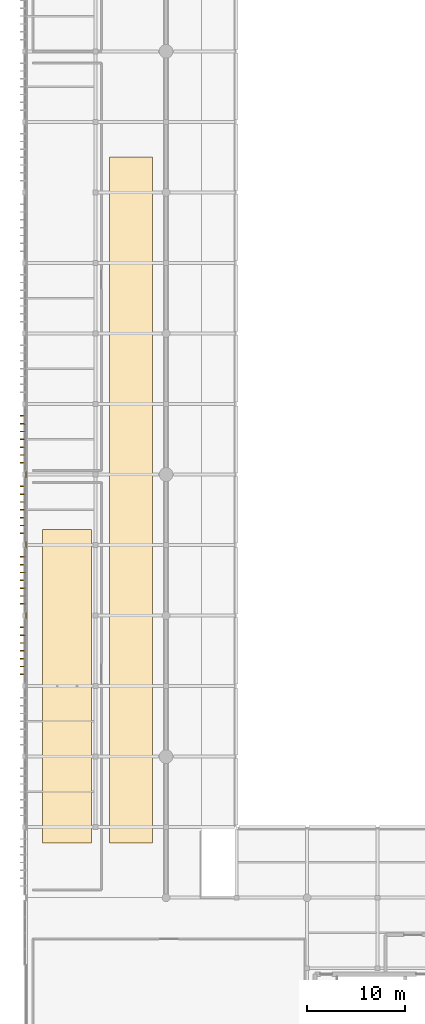
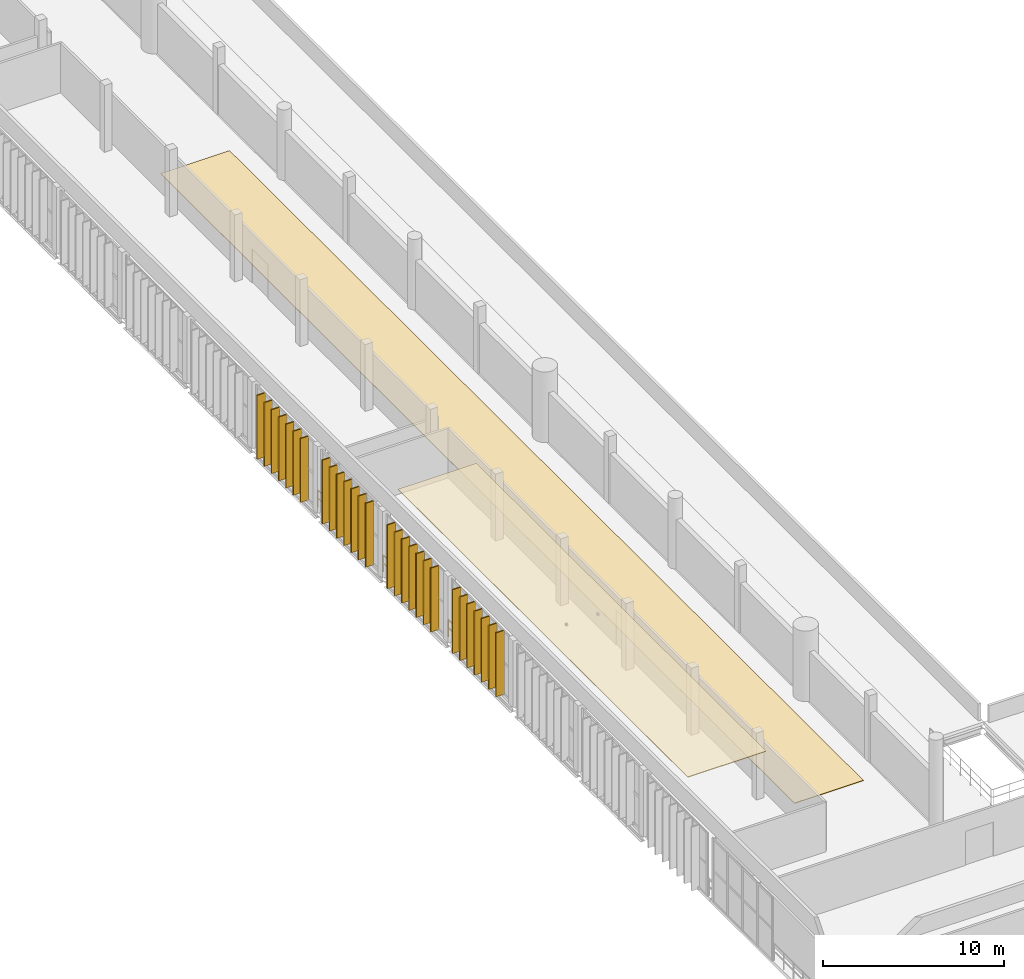
# One storey, part 59 of 64: 30 coverings, 16 shading devices, 3 railings.
"""IFC4 building model written with IfcOpenShell, lengths in metres."""

from ifc_helpers import new_model, si_unit, direction, frame, origin, origin_2d, place, context, subcontext, project, spatial, polyline, rectangle, circle, outline, extrude, material, layer, layer_set, type_object, element, save


model = new_model("IFC4")

# Units and contexts
model_context = context("Model", 3, precision=1e-05, world=origin(), true_north=direction((0.0, 1.0)))
body_context = subcontext(model_context, "Body", "Model", "MODEL_VIEW")
ifc_project = project(units=[si_unit("LENGTHUNIT", "METRE"), si_unit("AREAUNIT", "SQUARE_METRE"), si_unit("VOLUMEUNIT", "CUBIC_METRE"), si_unit("PLANEANGLEUNIT", "RADIAN"), si_unit("MASSUNIT", "GRAM", prefix="KILO")], contexts=[model_context])

# Site, building, storey
site_placement = place(None, origin())
site = spatial("IfcSite", under=ifc_project, at=site_placement, CompositionType="ELEMENT")
building_placement = place(site_placement, origin())
building = spatial("IfcBuilding", under=site, at=building_placement, Name="Qandorah Velis Arena", CompositionType="ELEMENT")
storey_placement = place(building_placement, frame((0.0, 0.0, 23.0)))
storey = spatial("IfcBuildingStorey", under=building, at=storey_placement, Name="L05", CompositionType="ELEMENT", Elevation=23.0)

# Coverings
ifc_material_1 = material(Name="Perforated mineral-fibre acoustic ceiling cloud", Category="gypsum")
ifc_layer_1 = layer(ifc_material_1, 0.044921875)
ifc_layer_set_1 = layer_set([ifc_layer_1], Name="Perforated mineral-fibre acoustic ceiling cloud")
covering_type_1 = type_object("IfcCoveringType", Name="ARC-COV-CEIL", PredefinedType="CEILING", material=ifc_layer_set_1)
covering_1_placement = place(storey_placement, frame((0.0, 0.0, 4.135009765625)))
element("IfcCovering", 1, at=covering_1_placement, inside=storey, type_object=covering_type_1, Name="Acoustic ceiling cloud AC-07", PredefinedType="CEILING", context=body_context, shape_type="SweptSolid", body=[
    extrude(outline(polyline([(1.800048828125, 20.0), (6.800048828125, 20.0), (6.800048828125, 52.0), (1.800048828125, 52.0), (1.800048828125, 20.0)])), origin(), (0.0, 0.0, 1.0), 0.044921875),
])
ifc_material_2 = material(Name="Champagne-bronze anodized aluminium 6063-T6", Category="aluminium")
ifc_layer_2 = layer(ifc_material_2, 0.0849609375)
ifc_layer_set_2 = layer_set([ifc_layer_2], Name="Champagne-bronze anodized aluminium 6063-T6")
covering_type_2 = type_object("IfcCoveringType", Name="ARC-COV-FIN520", PredefinedType="CLADDING", material=ifc_layer_set_2)
for number, where, z_axis, x_axis, name in (
    (2, (-0.251953125, 37.199951171875, -0.01025390625), (0.0, 0.0, 1.0), (1.0, 0.0, 0.0), "Vertical champagne-bronze solar fin blade WNG-W-L05-05-001"),
    (3, (-0.251953125, 38.0, -0.01025390625), (0.0, 0.0, 1.0), (1.0, 0.0, 0.0), "Vertical champagne-bronze solar fin blade WNG-W-L05-05-002"),
    (4, (-0.251953125, 38.800048828125, -0.01025390625), (0.0, 0.0, 1.0), (1.0, 0.0, 0.0), "Vertical champagne-bronze solar fin blade WNG-W-L05-05-003"),
    (5, (-0.251953125, 39.60009765625, -0.01025390625), (0.0, 0.0, 1.0), (1.0, 0.0, 0.0), "Vertical champagne-bronze solar fin blade WNG-W-L05-05-004"),
    (6, (-0.251953125, 40.39990234375, -0.01025390625), (0.0, 0.0, 1.0), (1.0, 0.0, 0.0), "Vertical champagne-bronze solar fin blade WNG-W-L05-05-005"),
    (7, (-0.251953125, 41.199951171875, -0.01025390625), (0.0, 0.0, 1.0), (1.0, 0.0, 0.0), "Vertical champagne-bronze solar fin blade WNG-W-L05-05-006"),
    (8, (-0.251953125, 42.0, -0.01025390625), (0.0, 0.0, 1.0), (1.0, 0.0, 0.0), "Vertical champagne-bronze solar fin blade WNG-W-L05-05-007"),
    (9, (-0.251953125, 44.39990234375, -0.01025390625), (0.0, 0.0, 1.0), (1.0, 0.0, 0.0), "Vertical champagne-bronze solar fin blade WNG-W-L05-06-001"),
    (10, (-0.251953125, 45.199951171875, -0.01025390625), (0.0, 0.0, 1.0), (1.0, 0.0, 0.0), "Vertical champagne-bronze solar fin blade WNG-W-L05-06-002"),
    (11, (-0.251953125, 46.0, -0.01025390625), (0.0, 0.0, 1.0), (1.0, 0.0, 0.0), "Vertical champagne-bronze solar fin blade WNG-W-L05-06-003"),
    (12, (-0.251953125, 46.800048828125, -0.01025390625), (0.0, 0.0, 1.0), (1.0, 0.0, 0.0), "Vertical champagne-bronze solar fin blade WNG-W-L05-06-004"),
    (13, (-0.251953125, 47.60009765625, -0.01025390625), (0.0, 0.0, 1.0), (1.0, 0.0, 0.0), "Vertical champagne-bronze solar fin blade WNG-W-L05-06-005"),
    (14, (-0.251953125, 48.39990234375, -0.01025390625), (0.0, 0.0, 1.0), (1.0, 0.0, 0.0), "Vertical champagne-bronze solar fin blade WNG-W-L05-06-006"),
    (15, (-0.251953125, 49.199951171875, -0.01025390625), (0.0, 0.0, 1.0), (1.0, 0.0, 0.0), "Vertical champagne-bronze solar fin blade WNG-W-L05-06-007"),
    (16, (-0.251953125, 51.60009765625, -0.01025390625), (0.0, 0.0, 1.0), (1.0, 0.0, 0.0), "Vertical champagne-bronze solar fin blade WNG-W-L05-07-001"),
    (17, (-0.251953125, 52.39990234375, -0.01025390625), (0.0, 0.0, 1.0), (1.0, 0.0, 0.0), "Vertical champagne-bronze solar fin blade WNG-W-L05-07-002"),
    (18, (-0.251953125, 53.199951171875, -0.01025390625), (0.0, 0.0, 1.0), (1.0, 0.0, 0.0), "Vertical champagne-bronze solar fin blade WNG-W-L05-07-003"),
    (19, (-0.251953125, 54.0, -0.01025390625), (0.0, 0.0, 1.0), (1.0, 0.0, 0.0), "Vertical champagne-bronze solar fin blade WNG-W-L05-07-004"),
    (20, (-0.251953125, 54.800048828125, -0.01025390625), (0.0, 0.0, 1.0), (1.0, 0.0, 0.0), "Vertical champagne-bronze solar fin blade WNG-W-L05-07-005"),
    (21, (-0.251953125, 55.60009765625, -0.01025390625), (0.0, 0.0, 1.0), (1.0, 0.0, 0.0), "Vertical champagne-bronze solar fin blade WNG-W-L05-07-006"),
    (22, (-0.251953125, 56.39990234375, -0.01025390625), (0.0, 0.0, 1.0), (1.0, 0.0, 0.0), "Vertical champagne-bronze solar fin blade WNG-W-L05-07-007"),
    (23, (-0.251953125, 58.800048828125, -0.01025390625), (0.0, 0.0, 1.0), (1.0, 0.0, 0.0), "Vertical champagne-bronze solar fin blade WNG-W-L05-08-001"),
    (24, (-0.251953125, 59.60009765625, -0.01025390625), (0.0, 0.0, 1.0), (1.0, 0.0, 0.0), "Vertical champagne-bronze solar fin blade WNG-W-L05-08-002"),
    (25, (-0.251953125, 60.39990234375, -0.01025390625), (0.0, 0.0, 1.0), (1.0, 0.0, 0.0), "Vertical champagne-bronze solar fin blade WNG-W-L05-08-003"),
    (26, (-0.251953125, 61.199951171875, -0.01025390625), (0.0, 0.0, 1.0), (1.0, 0.0, 0.0), "Vertical champagne-bronze solar fin blade WNG-W-L05-08-004"),
    (27, (-0.251953125, 62.0, -0.01025390625), (0.0, 0.0, 1.0), (1.0, 0.0, 0.0), "Vertical champagne-bronze solar fin blade WNG-W-L05-08-005"),
    (28, (-0.251953125, 62.800048828125, -0.01025390625), (0.0, 0.0, 1.0), (1.0, 0.0, 0.0), "Vertical champagne-bronze solar fin blade WNG-W-L05-08-006"),
    (29, (-0.251953125, 63.60009765625, -0.01025390625), (0.0, 0.0, 1.0), (1.0, 0.0, 0.0), "Vertical champagne-bronze solar fin blade WNG-W-L05-08-007"),
):
    element("IfcCovering", number, at=place(storey_placement, frame(where, z_axis=z_axis, x_axis=x_axis)), inside=storey, type_object=covering_type_2, Name=name, PredefinedType="CLADDING", context=body_context, shape_type="SweptSolid", body=[
        extrude(rectangle(XDim=0.52001953125, YDim=0.0849609375, at=origin_2d()), origin(), (0.0, 0.0, 1.0), 4.300048828125),
    ])
ifc_material_3 = material(Name="Polished Riyadh limestone terrazzo flooring", Category="masonry")
ifc_layer_3 = layer(ifc_material_3, 0.034912109375)
ifc_layer_set_3 = layer_set([ifc_layer_3], Name="Polished Riyadh limestone terrazzo flooring")
covering_type_3 = type_object("IfcCoveringType", Name="ARC-COV-FLOOR", PredefinedType="FLOORING", material=ifc_layer_set_3)
covering_2_placement = place(storey_placement, origin())
element("IfcCovering", 30, at=covering_2_placement, inside=storey, type_object=covering_type_3, Name="Polished terrazzo concourse flooring TF-06", PredefinedType="FLOORING", context=body_context, shape_type="SweptSolid", body=[
    extrude(outline(polyline([(8.60009765625, 20.0), (13.0, 20.0), (13.0, 90.0), (8.60009765625, 90.0), (8.60009765625, 20.0)])), origin(), (0.0, 0.0, 1.0), 0.034912109375),
])

# Railings
ifc_material_4 = material(Name="Stainless steel 316", Category="steel")
railing_type = type_object("IfcRailingType", Name="ARC-RL-GRD1150", PredefinedType="GUARDRAIL", material=ifc_material_4)
railing_placement = place(storey_placement, frame((0.10009765625, 42.89990234375, 0.0)))
element("IfcRailing", 31, at=railing_placement, inside=storey, type_object=railing_type, Name="Slab edge safety guardrail L05-251", PredefinedType="GUARDRAIL", context=body_context, shape_type="SweptSolid", body=[
    extrude(circle(Radius=0.02392578125, at=origin_2d()), frame((0.0, 0.0, 1.1259765625), z_axis=(0.0, 1.0, 0.0), x_axis=(-1.0, 0.0, 0.0)), (0.0, 0.0, 1.0), 0.60009765625),
    extrude(circle(Radius=0.02392578125, at=origin_2d()), frame((0.0, 0.0, 0.597900390625), z_axis=(0.0, 1.0, 0.0), x_axis=(-1.0, 0.0, 0.0)), (0.0, 0.0, 1.0), 0.60009765625),
    extrude(circle(Radius=0.02099609375, at=origin_2d()), origin(), (0.0, 0.0, 1.0), 1.101806640625),
    extrude(circle(Radius=0.02099609375, at=origin_2d()), frame((0.0, 0.60009765625, 0.0)), (0.0, 0.0, 1.0), 1.101806640625),
])
for number, where, name in (
    (32, (0.10009765625, 50.10009765625, 0.0), "Slab edge safety guardrail L05-252"),
    (33, (0.10009765625, 57.300048828125, 0.0), "Slab edge safety guardrail L05-253"),
):
    element("IfcRailing", number, at=place(storey_placement, frame(where)), inside=storey, type_object=railing_type, Name=name, PredefinedType="GUARDRAIL", context=body_context, shape_type="SweptSolid", body=[
        extrude(circle(Radius=0.02392578125, at=origin_2d()), frame((0.0, 0.0, 1.1259765625), z_axis=(0.0, 1.0, 0.0), x_axis=(-1.0, 0.0, 0.0)), (0.0, 0.0, 1.0), 0.599853515625),
        extrude(circle(Radius=0.02392578125, at=origin_2d()), frame((0.0, 0.0, 0.597900390625), z_axis=(0.0, 1.0, 0.0), x_axis=(-1.0, 0.0, 0.0)), (0.0, 0.0, 1.0), 0.599853515625),
        extrude(circle(Radius=0.02099609375, at=origin_2d()), origin(), (0.0, 0.0, 1.0), 1.101806640625),
        extrude(circle(Radius=0.02099609375, at=origin_2d()), frame((0.0, 0.599853515625, 0.0)), (0.0, 0.0, 1.0), 1.101806640625),
    ])

# Shading devices
shading_device_type = type_object("IfcShadingDeviceType", Name="ARC-SHD-FIN520", PredefinedType="USERDEFINED", material=ifc_material_2)
for number, where, z_axis, x_axis, name in (
    (34, (-0.251953125, 37.199951171875, -0.01025390625), (0.0, 0.0, 1.0), (1.0, 0.0, 0.0), "Vertical aerofoil solar fin SF-0183"),
    (35, (-0.251953125, 38.800048828125, -0.01025390625), (0.0, 0.0, 1.0), (1.0, 0.0, 0.0), "Vertical aerofoil solar fin SF-0184"),
    (36, (-0.251953125, 40.39990234375, -0.01025390625), (0.0, 0.0, 1.0), (1.0, 0.0, 0.0), "Vertical aerofoil solar fin SF-0185"),
    (37, (-0.251953125, 42.0, -0.01025390625), (0.0, 0.0, 1.0), (1.0, 0.0, 0.0), "Vertical aerofoil solar fin SF-0186"),
    (38, (-0.251953125, 44.39990234375, -0.01025390625), (0.0, 0.0, 1.0), (1.0, 0.0, 0.0), "Vertical aerofoil solar fin SF-0187"),
    (39, (-0.251953125, 46.0, -0.01025390625), (0.0, 0.0, 1.0), (1.0, 0.0, 0.0), "Vertical aerofoil solar fin SF-0188"),
    (40, (-0.251953125, 47.60009765625, -0.01025390625), (0.0, 0.0, 1.0), (1.0, 0.0, 0.0), "Vertical aerofoil solar fin SF-0189"),
    (41, (-0.251953125, 49.199951171875, -0.01025390625), (0.0, 0.0, 1.0), (1.0, 0.0, 0.0), "Vertical aerofoil solar fin SF-0190"),
    (42, (-0.251953125, 51.60009765625, -0.01025390625), (0.0, 0.0, 1.0), (1.0, 0.0, 0.0), "Vertical aerofoil solar fin SF-0191"),
    (43, (-0.251953125, 53.199951171875, -0.01025390625), (0.0, 0.0, 1.0), (1.0, 0.0, 0.0), "Vertical aerofoil solar fin SF-0192"),
    (44, (-0.251953125, 54.800048828125, -0.01025390625), (0.0, 0.0, 1.0), (1.0, 0.0, 0.0), "Vertical aerofoil solar fin SF-0193"),
    (45, (-0.251953125, 56.39990234375, -0.01025390625), (0.0, 0.0, 1.0), (1.0, 0.0, 0.0), "Vertical aerofoil solar fin SF-0194"),
    (46, (-0.251953125, 58.800048828125, -0.01025390625), (0.0, 0.0, 1.0), (1.0, 0.0, 0.0), "Vertical aerofoil solar fin SF-0195"),
    (47, (-0.251953125, 60.39990234375, -0.01025390625), (0.0, 0.0, 1.0), (1.0, 0.0, 0.0), "Vertical aerofoil solar fin SF-0196"),
    (48, (-0.251953125, 62.0, -0.01025390625), (0.0, 0.0, 1.0), (1.0, 0.0, 0.0), "Vertical aerofoil solar fin SF-0197"),
    (49, (-0.251953125, 63.60009765625, -0.01025390625), (0.0, 0.0, 1.0), (1.0, 0.0, 0.0), "Vertical aerofoil solar fin SF-0198"),
):
    element("IfcShadingDevice", number, at=place(storey_placement, frame(where, z_axis=z_axis, x_axis=x_axis)), inside=storey, type_object=shading_device_type, Name=name, ObjectType="SOLAR FIN", PredefinedType="USERDEFINED", context=body_context, shape_type="SweptSolid", body=[
        extrude(rectangle(XDim=0.52001953125, YDim=0.0849609375, at=origin_2d()), origin(), (0.0, 0.0, 1.0), 4.300048828125),
    ])

save(model, "model.ifc")
